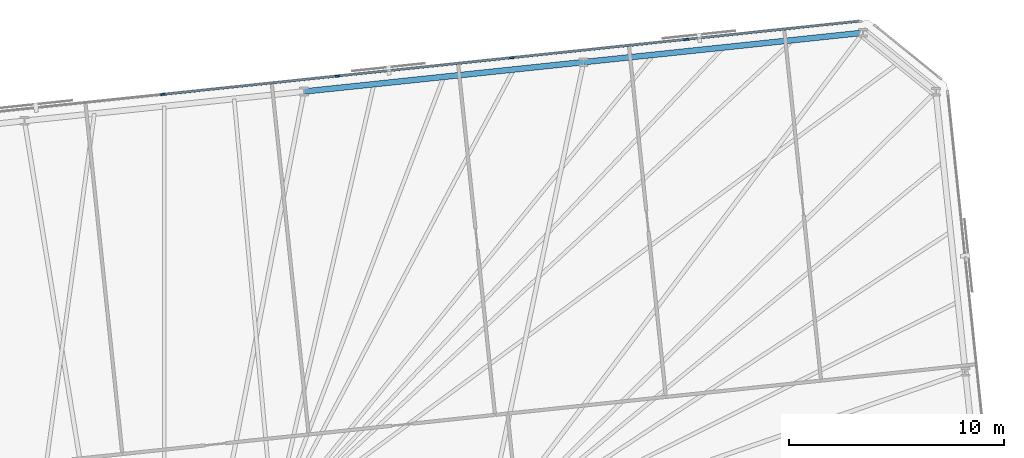
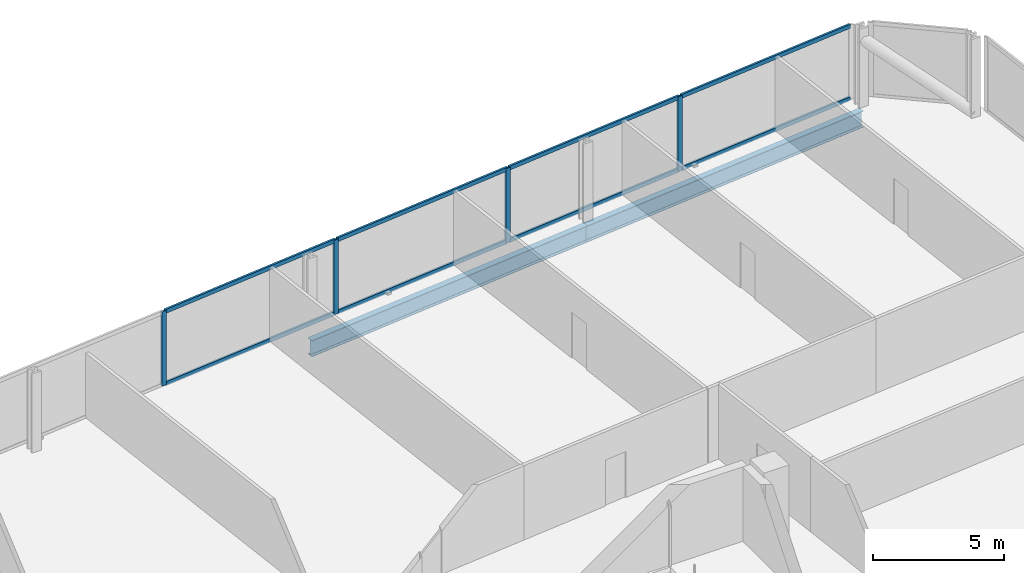
# One storey, part 11 of 18: 12 members, 2 beams, 1 element without a shape of its own.
"""IFC4 building model written with IfcOpenShell, lengths in metres."""

from ifc_helpers import new_model, si_unit, direction, frame, origin, origin_2d, place, context, subcontext, project, spatial, rectangle, i_section, extrude, material, material_profile, profile_set, type_object, element, aggregate, save


model = new_model("IFC4")

# Units and contexts
model_context = context("Model", 3, precision=1e-05, world=origin(), true_north=direction((0.0, 1.0)))
body_context = subcontext(model_context, "Body", "Model", "MODEL_VIEW")
ifc_project = project(units=[si_unit("LENGTHUNIT", "METRE"), si_unit("AREAUNIT", "SQUARE_METRE"), si_unit("VOLUMEUNIT", "CUBIC_METRE"), si_unit("PLANEANGLEUNIT", "RADIAN"), si_unit("MASSUNIT", "GRAM", prefix="KILO")], contexts=[model_context])

# Site, building, storey
site_placement = place(None, origin())
site = spatial("IfcSite", under=ifc_project, at=site_placement, CompositionType="ELEMENT")
building_placement = place(site_placement, origin())
building = spatial("IfcBuilding", under=site, at=building_placement, Name="Menara Jurai Vektor", CompositionType="ELEMENT")
storey_placement = place(building_placement, frame((0.0, 0.0, 128.10009765625)))
storey = spatial("IfcBuildingStorey", under=building, at=storey_placement, Name="L32", CompositionType="ELEMENT", Elevation=128.10009765625)

# Curtain wall, members
ifc_material_1 = material(Name="Anodised Pale Aluminium & Low-E Double Glazing", Category="aluminium")
curtain_wall_type = type_object("IfcCurtainWallType", Name="CW-BLK2", PredefinedType="NOTDEFINED", material=ifc_material_1)
curtain_wall_placement = place(storey_placement, origin())
curtain_wall = element("IfcCurtainWall", 1, at=curtain_wall_placement, inside=storey, type_object=curtain_wall_type, Name="Unitised Curtain Wall L32 F05", PredefinedType="NOTDEFINED")
ifc_material_2 = material(Name="Anodised Pale Aluminium Mullion", Category="aluminium")
ifc_material_profile_1 = material_profile(ifc_material_2, rectangle(XDim=0.090087890625, YDim=0.219970703125, at=origin_2d()), Name="ALU MUL 90x220")
ifc_profile_set_1 = profile_set([ifc_material_profile_1], Name="Anodised Pale Aluminium Mullion")
member_type_1 = type_object("IfcMemberType", Name="CW-BLK2-MUL", PredefinedType="MULLION", material=ifc_profile_set_1)
member_1_placement = place(storey_placement, frame((24.663330078125, 28.075927734375, 0.0), z_axis=(0.0, 0.0, 1.0), x_axis=(0.104528634935, -0.994521877325, 0.0)))
member_1 = element("IfcMember", 2, at=member_1_placement, type_object=member_type_1, Name="CW-02 mullion 2", PredefinedType="MULLION", context=body_context, shape_type="SweptSolid", body=[
    extrude(rectangle(XDim=0.090087890625, YDim=0.219970703125, at=origin_2d()), origin(), (0.0, 0.0, 1.0), 3.474853515625),
])
member_2_placement = place(storey_placement, frame((16.5654296875, 27.224853515625, 0.0), z_axis=(0.0, 0.0, 1.0), x_axis=(0.104528634935, -0.994521877325, 0.0)))
member_2 = element("IfcMember", 3, at=member_2_placement, type_object=member_type_1, Name="CW-02 mullion 3", PredefinedType="MULLION", context=body_context, shape_type="SweptSolid", body=[
    extrude(rectangle(XDim=0.090087890625, YDim=0.219970703125, at=origin_2d()), origin(), (0.0, 0.0, 1.0), 3.474853515625),
])
member_3_placement = place(storey_placement, frame((8.467529296875, 26.373779296875, 0.0), z_axis=(0.0, 0.0, 1.0), x_axis=(0.104528634935, -0.994521877325, 0.0)))
member_3 = element("IfcMember", 4, at=member_3_placement, type_object=member_type_1, Name="CW-02 mullion 4", PredefinedType="MULLION", context=body_context, shape_type="SweptSolid", body=[
    extrude(rectangle(XDim=0.090087890625, YDim=0.219970703125, at=origin_2d()), origin(), (0.0, 0.0, 1.0), 3.474853515625),
])
member_4_placement = place(storey_placement, frame((0.36962890625, 25.522705078125, 0.0), z_axis=(0.0, 0.0, 1.0), x_axis=(0.104528634935, -0.994521877325, 0.0)))
member_4 = element("IfcMember", 5, at=member_4_placement, type_object=member_type_1, Name="CW-02 mullion 5", PredefinedType="MULLION", context=body_context, shape_type="SweptSolid", body=[
    extrude(rectangle(XDim=0.090087890625, YDim=0.219970703125, at=origin_2d()), origin(), (0.0, 0.0, 1.0), 3.474853515625),
])
ifc_material_3 = material(Name="Anodised Pale Aluminium Transom", Category="aluminium")
ifc_material_profile_2 = material_profile(ifc_material_3, rectangle(XDim=0.090087890625, YDim=0.18505859375, at=origin_2d()), Name="ALU TRN 90x185")
ifc_profile_set_2 = profile_set([ifc_material_profile_2], Name="Anodised Pale Aluminium Transom")
member_type_2 = type_object("IfcMemberType", Name="CW-BLK2-TRN", PredefinedType="USERDEFINED", material=ifc_profile_set_2)
member_5_placement = place(storey_placement, frame((32.671875, 28.917724609375, 0.044921875), z_axis=(-0.994519977808, -0.104546706027, 0.0), x_axis=(0.104546706027, -0.994519977808, 0.0)))
member_5 = element("IfcMember", 6, at=member_5_placement, type_object=member_type_2, Name="CW-02 transom 1.1", ObjectType="TRANSOM", PredefinedType="USERDEFINED", context=body_context, shape_type="SweptSolid", body=[
    extrude(rectangle(XDim=0.090087890625, YDim=0.18505859375, at=origin_2d()), origin(), (0.0, 0.0, 1.0), 8.007568359375),
])
member_6_placement = place(storey_placement, frame((32.671875, 28.917724609375, 3.429931640625), z_axis=(-0.994519977808, -0.104546706027, 0.0), x_axis=(0.104546706027, -0.994519977808, 0.0)))
member_6 = element("IfcMember", 7, at=member_6_placement, type_object=member_type_2, Name="CW-02 transom 1.2", ObjectType="TRANSOM", PredefinedType="USERDEFINED", context=body_context, shape_type="SweptSolid", body=[
    extrude(rectangle(XDim=0.090087890625, YDim=0.18505859375, at=origin_2d()), origin(), (0.0, 0.0, 1.0), 8.007568359375),
])
member_7_placement = place(storey_placement, frame((24.61865234375, 28.0712890625, 0.044921875), z_axis=(-0.994520726373, -0.10453958492, 0.0), x_axis=(0.10453958492, -0.994520726373, 0.0)))
member_7 = element("IfcMember", 8, at=member_7_placement, type_object=member_type_2, Name="CW-02 transom 2.1", ObjectType="TRANSOM", PredefinedType="USERDEFINED", context=body_context, shape_type="SweptSolid", body=[
    extrude(rectangle(XDim=0.090087890625, YDim=0.18505859375, at=origin_2d()), origin(), (0.0, 0.0, 1.0), 8.052490234375),
])
member_8_placement = place(storey_placement, frame((24.61865234375, 28.0712890625, 3.429931640625), z_axis=(-0.994520726373, -0.10453958492, 0.0), x_axis=(0.10453958492, -0.994520726373, 0.0)))
member_8 = element("IfcMember", 9, at=member_8_placement, type_object=member_type_2, Name="CW-02 transom 2.2", ObjectType="TRANSOM", PredefinedType="USERDEFINED", context=body_context, shape_type="SweptSolid", body=[
    extrude(rectangle(XDim=0.090087890625, YDim=0.18505859375, at=origin_2d()), origin(), (0.0, 0.0, 1.0), 8.052490234375),
])
member_9_placement = place(storey_placement, frame((16.520751953125, 27.22021484375, 0.044921875), z_axis=(-0.994520726373, -0.10453958492, 0.0), x_axis=(0.10453958492, -0.994520726373, 0.0)))
member_9 = element("IfcMember", 10, at=member_9_placement, type_object=member_type_2, Name="CW-02 transom 3.1", ObjectType="TRANSOM", PredefinedType="USERDEFINED", context=body_context, shape_type="SweptSolid", body=[
    extrude(rectangle(XDim=0.090087890625, YDim=0.18505859375, at=origin_2d()), origin(), (0.0, 0.0, 1.0), 8.052490234375),
])
member_10_placement = place(storey_placement, frame((16.520751953125, 27.22021484375, 3.429931640625), z_axis=(-0.994520726373, -0.10453958492, 0.0), x_axis=(0.10453958492, -0.994520726373, 0.0)))
member_10 = element("IfcMember", 11, at=member_10_placement, type_object=member_type_2, Name="CW-02 transom 3.2", ObjectType="TRANSOM", PredefinedType="USERDEFINED", context=body_context, shape_type="SweptSolid", body=[
    extrude(rectangle(XDim=0.090087890625, YDim=0.18505859375, at=origin_2d()), origin(), (0.0, 0.0, 1.0), 8.052490234375),
])
member_11_placement = place(storey_placement, frame((8.4228515625, 26.369140625, 0.044921875), z_axis=(-0.994520726373, -0.10453958492, 0.0), x_axis=(0.10453958492, -0.994520726373, 0.0)))
member_11 = element("IfcMember", 12, at=member_11_placement, type_object=member_type_2, Name="CW-02 transom 4.1", ObjectType="TRANSOM", PredefinedType="USERDEFINED", context=body_context, shape_type="SweptSolid", body=[
    extrude(rectangle(XDim=0.090087890625, YDim=0.18505859375, at=origin_2d()), origin(), (0.0, 0.0, 1.0), 8.052490234375),
])
member_12_placement = place(storey_placement, frame((8.4228515625, 26.369140625, 3.429931640625), z_axis=(-0.994520726373, -0.10453958492, 0.0), x_axis=(0.10453958492, -0.994520726373, 0.0)))
member_12 = element("IfcMember", 13, at=member_12_placement, type_object=member_type_2, Name="CW-02 transom 4.2", ObjectType="TRANSOM", PredefinedType="USERDEFINED", context=body_context, shape_type="SweptSolid", body=[
    extrude(rectangle(XDim=0.090087890625, YDim=0.18505859375, at=origin_2d()), origin(), (0.0, 0.0, 1.0), 8.052490234375),
])
aggregate(curtain_wall, [member_1, member_2, member_3, member_4, member_5, member_6, member_7, member_8, member_9, member_10, member_11, member_12])

# Beams
ifc_material_4 = material(Name="Steel S460", Category="steel")
ifc_material_profile_3 = material_profile(ifc_material_4, i_section(OverallWidth=0.26806640625, OverallDepth=0.77001953125, WebThickness=0.01611328125, FlangeThickness=0.02490234375, FilletRadius=0.01708984375, at=origin_2d()), Name="UKB 762x267x197")
ifc_profile_set_3 = profile_set([ifc_material_profile_3], Name="Steel S460")
beam_type = type_object("IfcBeamType", Name="STR-SP-762", PredefinedType="SPANDREL", material=ifc_profile_set_3)
beam_1_placement = place(storey_placement, frame((32.876220703125, 28.38623046875, -0.610107421875), z_axis=(-0.994521431679, -0.104532874882, 0.0), x_axis=(0.104532874882, -0.994521431679, 0.0)))
element("IfcBeam", 14, at=beam_1_placement, inside=storey, type_object=beam_type, Name="Exoskeleton Spandrel Beam L32-11", PredefinedType="SPANDREL", context=body_context, shape_type="SweptSolid", body=[
    extrude(i_section(OverallWidth=0.26806640625, OverallDepth=0.77001953125, WebThickness=0.01611328125, FlangeThickness=0.02490234375, FilletRadius=0.01708984375, at=origin_2d()), origin(), (0.0, 0.0, 1.0), 13.051025390625),
])
beam_2_placement = place(storey_placement, frame((19.896728515625, 27.02197265625, -0.610107421875), z_axis=(-0.994521636083, -0.104530930169, 0.0), x_axis=(0.104530930169, -0.994521636083, 0.0)))
element("IfcBeam", 15, at=beam_2_placement, inside=storey, type_object=beam_type, Name="Exoskeleton Spandrel Beam L32-12", PredefinedType="SPANDREL", context=body_context, shape_type="SweptSolid", body=[
    extrude(i_section(OverallWidth=0.26806640625, OverallDepth=0.77001953125, WebThickness=0.01611328125, FlangeThickness=0.02490234375, FilletRadius=0.01708984375, at=origin_2d()), origin(), (0.0, 0.0, 1.0), 13.05126953125),
])

save(model, "model.ifc")
